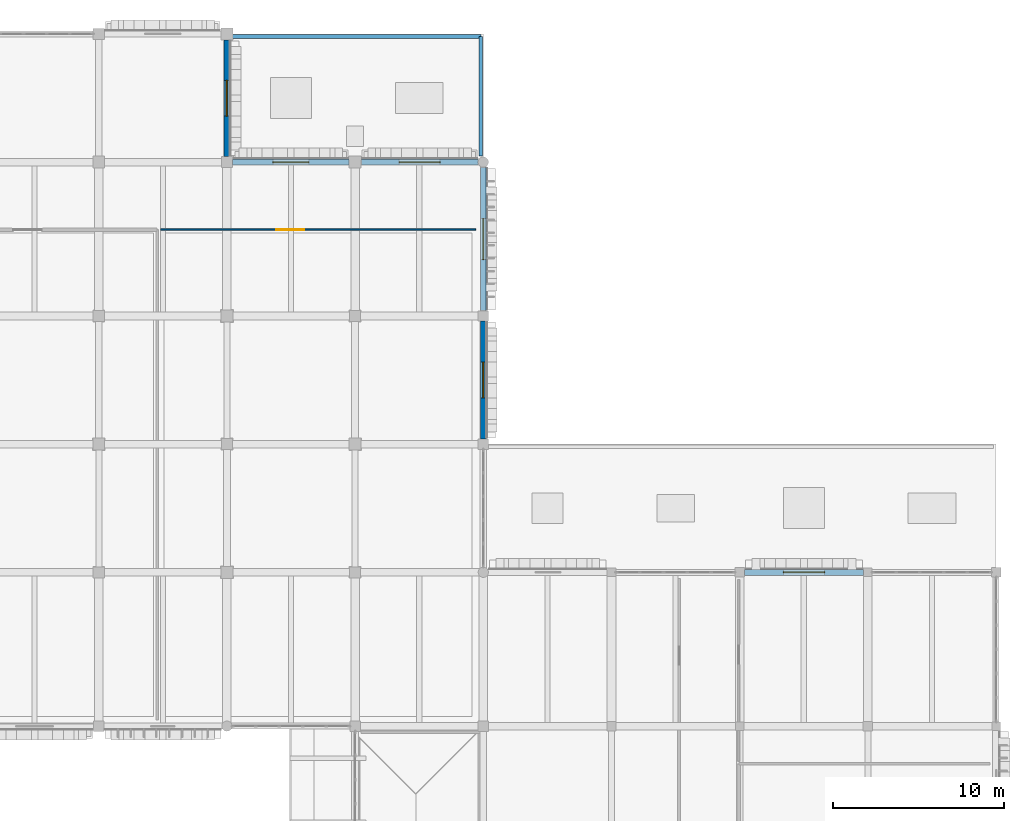
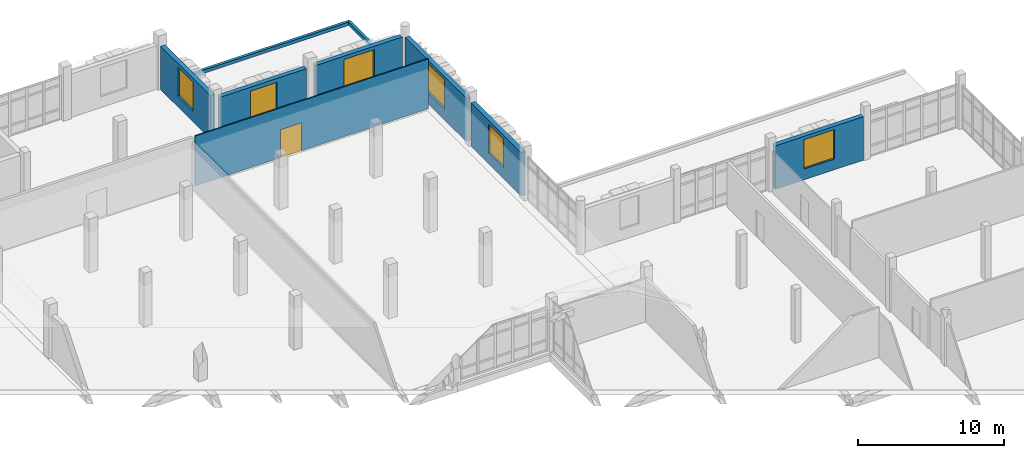
# One storey, part 105 of 128: 9 walls, 6 windows, 1 door, 7 openings.
"""IFC4 building model written with IfcOpenShell, lengths in metres."""

from ifc_helpers import new_model, si_unit, direction, frame, frame_2d, origin, place, context, subcontext, project, spatial, rectangle, extrude, material, layer, layer_set, type_object, element, fill, save


model = new_model("IFC4")

# Units and contexts
model_context = context("Model", 3, precision=1e-05, world=origin(), true_north=direction((0.0, 1.0)))
body_context = subcontext(model_context, "Body", "Model", "MODEL_VIEW")
ifc_project = project(units=[si_unit("LENGTHUNIT", "METRE"), si_unit("AREAUNIT", "SQUARE_METRE"), si_unit("VOLUMEUNIT", "CUBIC_METRE"), si_unit("PLANEANGLEUNIT", "RADIAN"), si_unit("MASSUNIT", "GRAM", prefix="KILO")], contexts=[model_context])

# Site, building, storey
site_placement = place(None, origin())
site = spatial("IfcSite", under=ifc_project, at=site_placement, CompositionType="ELEMENT")
building_placement = place(site_placement, origin())
building = spatial("IfcBuilding", under=site, at=building_placement, Name="Dalvernix Boulevard General Hospital", CompositionType="ELEMENT")
storey_placement = place(building_placement, frame((0.0, 0.0, 4.800048828125)))
storey = spatial("IfcBuildingStorey", under=building, at=storey_placement, Name="L01", CompositionType="ELEMENT", Elevation=4.800048828125)

# Wall, opening, window
ifc_material_1 = material(Name="Pressed Catalan clay brick and insulated concrete cavity wall C35/45", Category="masonry")
ifc_layer_1 = layer(ifc_material_1, 0.35009765625)
ifc_layer_set_1 = layer_set([ifc_layer_1], Name="Pressed Catalan clay brick and insulated concrete cavity wall C35/45 (WAL-EW-01)")
wall_type_1 = type_object("IfcWallType", Name="WAL-EW-01", PredefinedType="STANDARD", material=ifc_layer_set_1)
wall_1_placement = place(storey_placement, frame((127.5, 116.639892578125, 0.0), z_axis=(0.0, 0.0, 1.0), x_axis=(0.0, -1.0, 0.0)))
wall_1 = element("IfcWall", 1, at=wall_1_placement, inside=storey, type_object=wall_type_1, Name="L01 Catalan brick external wall E 17-14", PredefinedType="STANDARD", context=body_context, shape_type="SweptSolid", body=[
    extrude(rectangle(XDim=6.804931640625, YDim=0.35009765625, at=frame_2d((3.40234375, 0.0))), origin(), (0.0, 0.0, 1.0), 3.6298828125),
])
opening_1_placement = place(wall_1_placement, frame((2.3525390625, 0.0, 0.89990234375)))
opening_1 = element("IfcOpeningElement", 2, at=opening_1_placement, cuts=wall_1, Name="Opening WN-03", PredefinedType="OPENING", context=body_context, shape_type="SweptSolid", body=[
    extrude(rectangle(XDim=2.10009765625, YDim=2.39990234375, at=frame_2d((1.050048828125, 1.199951171875))), frame((0.0, 0.18505859375, 0.0), z_axis=(0.0, -1.0, 0.0), x_axis=(1.0, 0.0, 0.0)), (0.0, 0.0, 1.0), 0.3701171875),
])
ifc_material_2 = material(Name="Thermally broken aluminium frame with solar-control double glazing", Category="aluminium")
window_type_1 = type_object("IfcWindowType", Name="WIN-WN-03", PartitioningType="SINGLE_PANEL", PredefinedType="WINDOW", material=ifc_material_2)
window_1_placement = place(opening_1_placement, origin())
window_1 = element("IfcWindow", 3, at=window_1_placement, inside=storey, type_object=window_type_1, Name="L01 clinical window WN-03 E 17-14", OverallHeight=2.39990234375, OverallWidth=2.10009765625, PartitioningType="SINGLE_PANEL", PredefinedType="WINDOW", context=body_context, shape_type="SweptSolid", body=[
    extrude(rectangle(XDim=2.10009765625, YDim=2.39990234375, at=frame_2d((1.050048828125, 1.199951171875))), frame((0.0, 0.030029296875, 0.0), z_axis=(0.0, -1.0, 0.0), x_axis=(1.0, 0.0, 0.0)), (0.0, 0.0, 1.0), 0.06005859375),
])
fill(opening_1, window_1)

wall_2_placement = place(storey_placement, frame((127.8349609375, 109.5, 0.0), z_axis=(0.0, 0.0, 1.0), x_axis=(1.0, 0.0, 0.0)))
wall_2 = element("IfcWall", 4, at=wall_2_placement, inside=storey, type_object=wall_type_1, Name="L01 Catalan brick external wall N 17-14", PredefinedType="STANDARD", context=body_context, shape_type="SweptSolid", body=[
    extrude(rectangle(XDim=6.804931640625, YDim=0.35009765625, at=frame_2d((3.40234375, 0.0))), origin(), (0.0, 0.0, 1.0), 3.6298828125),
])
opening_2_placement = place(wall_2_placement, frame((2.3525390625, 0.0, 0.89990234375)))
opening_2 = element("IfcOpeningElement", 5, at=opening_2_placement, cuts=wall_2, Name="Opening WN-03", PredefinedType="OPENING", context=body_context, shape_type="SweptSolid", body=[
    extrude(rectangle(XDim=2.10009765625, YDim=2.39990234375, at=frame_2d((1.050048828125, 1.199951171875))), frame((0.0, 0.18505859375, 0.0), z_axis=(0.0, -1.0, 0.0), x_axis=(1.0, 0.0, 0.0)), (0.0, 0.0, 1.0), 0.3701171875),
])
window_2_placement = place(opening_2_placement, origin())
window_2 = element("IfcWindow", 6, at=window_2_placement, inside=storey, type_object=window_type_1, Name="L01 clinical window WN-03 N 17-14", OverallHeight=2.39990234375, OverallWidth=2.10009765625, PartitioningType="SINGLE_PANEL", PredefinedType="WINDOW", context=body_context, shape_type="SweptSolid", body=[
    extrude(rectangle(XDim=2.10009765625, YDim=2.39990234375, at=frame_2d((1.050048828125, 1.199951171875))), frame((0.0, 0.030029296875, 0.0), z_axis=(0.0, -1.0, 0.0), x_axis=(1.0, 0.0, 0.0)), (0.0, 0.0, 1.0), 0.06005859375),
])
fill(opening_2, window_2)

wall_3_placement = place(storey_placement, frame((142.5, 100.18994140625, 0.0), z_axis=(0.0, 0.0, 1.0), x_axis=(0.0, -1.0, 0.0)))
wall_3 = element("IfcWall", 7, at=wall_3_placement, inside=storey, type_object=wall_type_1, Name="L01 Catalan brick external wall E 19-12", PredefinedType="STANDARD", context=body_context, shape_type="SweptSolid", body=[
    extrude(rectangle(XDim=6.8798828125, YDim=0.35009765625, at=frame_2d((3.43994140625, 0.0))), origin(), (0.0, 0.0, 1.0), 3.6298828125),
])
opening_3_placement = place(wall_3_placement, frame((2.389892578125, 0.0, 0.89990234375)))
opening_3 = element("IfcOpeningElement", 8, at=opening_3_placement, cuts=wall_3, Name="Opening WN-03", PredefinedType="OPENING", context=body_context, shape_type="SweptSolid", body=[
    extrude(rectangle(XDim=2.10009765625, YDim=2.39990234375, at=frame_2d((1.050048828125, 1.199951171875))), frame((0.0, 0.18505859375, 0.0), z_axis=(0.0, -1.0, 0.0), x_axis=(1.0, 0.0, 0.0)), (0.0, 0.0, 1.0), 0.3701171875),
])
window_3_placement = place(opening_3_placement, origin())
window_3 = element("IfcWindow", 9, at=window_3_placement, inside=storey, type_object=window_type_1, Name="L01 clinical window WN-03 E 19-12", OverallHeight=2.39990234375, OverallWidth=2.10009765625, PartitioningType="SINGLE_PANEL", PredefinedType="WINDOW", context=body_context, shape_type="SweptSolid", body=[
    extrude(rectangle(XDim=2.10009765625, YDim=2.39990234375, at=frame_2d((1.050048828125, 1.199951171875))), frame((0.0, 0.030029296875, 0.0), z_axis=(0.0, -1.0, 0.0), x_axis=(1.0, 0.0, 0.0)), (0.0, 0.0, 1.0), 0.06005859375),
])
fill(opening_3, window_3)

wall_4_placement = place(storey_placement, frame((135.360107421875, 109.5, 0.0), z_axis=(0.0, 0.0, 1.0), x_axis=(1.0, 0.0, 0.0)))
wall_4 = element("IfcWall", 10, at=wall_4_placement, inside=storey, type_object=wall_type_1, Name="L01 Catalan brick external wall N 18-14", PredefinedType="STANDARD", context=body_context, shape_type="SweptSolid", body=[
    extrude(rectangle(XDim=6.829833984375, YDim=0.35009765625, at=frame_2d((3.4150390625, 0.0))), origin(), (0.0, 0.0, 1.0), 3.6298828125),
])
opening_4_placement = place(wall_4_placement, frame((2.215087890625, 0.0, 0.89990234375)))
opening_4 = element("IfcOpeningElement", 11, at=opening_4_placement, cuts=wall_4, Name="Opening WN-04", PredefinedType="OPENING", context=body_context, shape_type="SweptSolid", body=[
    extrude(rectangle(XDim=2.39990234375, YDim=2.449951171875, at=frame_2d((1.199951171875, 1.22509765625))), frame((0.0, 0.18505859375, 0.0), z_axis=(0.0, -1.0, 0.0), x_axis=(1.0, 0.0, 0.0)), (0.0, 0.0, 1.0), 0.3701171875),
])
window_type_2 = type_object("IfcWindowType", Name="WIN-WN-04", PartitioningType="SINGLE_PANEL", PredefinedType="WINDOW", material=ifc_material_2)
window_4_placement = place(opening_4_placement, origin())
window_4 = element("IfcWindow", 12, at=window_4_placement, inside=storey, type_object=window_type_2, Name="L01 clinical window WN-04 N 18-14", OverallHeight=2.449951171875, OverallWidth=2.39990234375, PartitioningType="SINGLE_PANEL", PredefinedType="WINDOW", context=body_context, shape_type="SweptSolid", body=[
    extrude(rectangle(XDim=2.39990234375, YDim=2.449951171875, at=frame_2d((1.199951171875, 1.22509765625))), frame((0.0, 0.030029296875, 0.0), z_axis=(0.0, -1.0, 0.0), x_axis=(1.0, 0.0, 0.0)), (0.0, 0.0, 1.0), 0.06005859375),
])
fill(opening_4, window_4)

wall_5_placement = place(storey_placement, frame((142.5, 109.18994140625, 0.0), z_axis=(0.0, 0.0, 1.0), x_axis=(0.0, -1.0, 0.0)))
wall_5 = element("IfcWall", 13, at=wall_5_placement, inside=storey, type_object=wall_type_1, Name="L01 Catalan brick external wall E 19-13", PredefinedType="STANDARD", context=body_context, shape_type="SweptSolid", body=[
    extrude(rectangle(XDim=8.3798828125, YDim=0.35009765625, at=frame_2d((4.18994140625, 0.0))), origin(), (0.0, 0.0, 1.0), 3.6298828125),
])
opening_5_placement = place(wall_5_placement, frame((2.989990234375, 0.0, 0.89990234375)))
opening_5 = element("IfcOpeningElement", 14, at=opening_5_placement, cuts=wall_5, Name="Opening WN-04", PredefinedType="OPENING", context=body_context, shape_type="SweptSolid", body=[
    extrude(rectangle(XDim=2.39990234375, YDim=2.449951171875, at=frame_2d((1.199951171875, 1.22509765625))), frame((0.0, 0.18505859375, 0.0), z_axis=(0.0, -1.0, 0.0), x_axis=(1.0, 0.0, 0.0)), (0.0, 0.0, 1.0), 0.3701171875),
])
window_5_placement = place(opening_5_placement, origin())
window_5 = element("IfcWindow", 15, at=window_5_placement, inside=storey, type_object=window_type_2, Name="L01 clinical window WN-04 E 19-13", OverallHeight=2.449951171875, OverallWidth=2.39990234375, PartitioningType="SINGLE_PANEL", PredefinedType="WINDOW", context=body_context, shape_type="SweptSolid", body=[
    extrude(rectangle(XDim=2.39990234375, YDim=2.449951171875, at=frame_2d((1.199951171875, 1.22509765625))), frame((0.0, 0.030029296875, 0.0), z_axis=(0.0, -1.0, 0.0), x_axis=(1.0, 0.0, 0.0)), (0.0, 0.0, 1.0), 0.06005859375),
])
fill(opening_5, window_5)

wall_6_placement = place(storey_placement, frame((157.784912109375, 85.5, 0.0), z_axis=(0.0, 0.0, 1.0), x_axis=(1.0, 0.0, 0.0)))
wall_6 = element("IfcWall", 16, at=wall_6_placement, inside=storey, type_object=wall_type_1, Name="L01 Catalan brick external wall N 21-11", PredefinedType="STANDARD", context=body_context, shape_type="SweptSolid", body=[
    extrude(rectangle(XDim=6.955078125, YDim=0.35009765625, at=frame_2d((3.4775390625, 0.0))), origin(), (0.0, 0.0, 1.0), 3.6298828125),
])
opening_6_placement = place(wall_6_placement, frame((2.277587890625, 0.0, 0.89990234375)))
opening_6 = element("IfcOpeningElement", 17, at=opening_6_placement, cuts=wall_6, Name="Opening WN-04", PredefinedType="OPENING", context=body_context, shape_type="SweptSolid", body=[
    extrude(rectangle(XDim=2.39990234375, YDim=2.449951171875, at=frame_2d((1.199951171875, 1.22509765625))), frame((0.0, 0.18505859375, 0.0), z_axis=(0.0, -1.0, 0.0), x_axis=(1.0, 0.0, 0.0)), (0.0, 0.0, 1.0), 0.3701171875),
])
window_6_placement = place(opening_6_placement, origin())
window_6 = element("IfcWindow", 18, at=window_6_placement, inside=storey, type_object=window_type_2, Name="L01 clinical window WN-04 N 21-11", OverallHeight=2.449951171875, OverallWidth=2.39990234375, PartitioningType="SINGLE_PANEL", PredefinedType="WINDOW", context=body_context, shape_type="SweptSolid", body=[
    extrude(rectangle(XDim=2.39990234375, YDim=2.449951171875, at=frame_2d((1.199951171875, 1.22509765625))), frame((0.0, 0.030029296875, 0.0), z_axis=(0.0, -1.0, 0.0), x_axis=(1.0, 0.0, 0.0)), (0.0, 0.0, 1.0), 0.06005859375),
])
fill(opening_6, window_6)

# Wall, opening, door
ifc_material_3 = material(Name="Fire-resisting clinical sub-partition")
ifc_layer_2 = layer(ifc_material_3, 0.10009765625)
ifc_layer_set_2 = layer_set([ifc_layer_2], Name="Fire-resisting clinical sub-partition (WAL-IW-06)")
wall_type_2 = type_object("IfcWallType", Name="WAL-IW-06", PredefinedType="PARTITIONING", material=ifc_layer_set_2)
wall_7_placement = place(storey_placement, frame((142.050048828125, 105.550048828125, 0.0), z_axis=(0.0, 0.0, 1.0), x_axis=(-1.0, 0.0, 0.0)))
wall_7 = element("IfcWall", 19, at=wall_7_placement, inside=storey, type_object=wall_type_2, Name="L01 Clinical Pathology and Microbiology Laboratory 05 corridor wall", PredefinedType="PARTITIONING", context=body_context, shape_type="SweptSolid", body=[
    extrude(rectangle(XDim=18.433349609375, YDim=0.10009765625, at=frame_2d((9.216796875, 0.0))), origin(), (0.0, 0.0, 1.0), 4.1650390625),
])
opening_7_placement = place(wall_7_placement, frame((10.02001953125, 0.0, 0.0)))
opening_7 = element("IfcOpeningElement", 20, at=opening_7_placement, cuts=wall_7, Name="Opening ID-12", PredefinedType="OPENING", context=body_context, shape_type="SweptSolid", body=[
    extrude(rectangle(XDim=1.64990234375, YDim=2.35009765625, at=frame_2d((0.824951171875, 1.175048828125))), frame((0.0, 0.06005859375, 0.0), z_axis=(0.0, -1.0, 0.0), x_axis=(1.0, 0.0, 0.0)), (0.0, 0.0, 1.0), 0.1201171875),
])
ifc_material_4 = material(Name="Hospital laminate acoustic timber and steel frame", Category="steel")
door_type = type_object("IfcDoorType", Name="DR-ID-12", OperationType="DOUBLE_DOOR_SINGLE_SWING", PredefinedType="DOOR", material=ifc_material_4)
door_placement = place(opening_7_placement, origin())
door = element("IfcDoor", 21, at=door_placement, inside=storey, type_object=door_type, Name="L01 Clinical Pathology and Microbiology Laboratory 05 door", OperationType="DOUBLE_DOOR_SINGLE_SWING", OverallHeight=2.35009765625, OverallWidth=1.64990234375, PredefinedType="DOOR", context=body_context, shape_type="SweptSolid", body=[
    extrude(rectangle(XDim=1.64990234375, YDim=2.35009765625, at=frame_2d((0.824951171875, 1.175048828125))), frame((0.0, 0.02490234375, 0.0), z_axis=(0.0, -1.0, 0.0), x_axis=(1.0, 0.0, 0.0)), (0.0, 0.0, 1.0), 0.050048828125),
])
fill(opening_7, door)

# Walls
ifc_material_5 = material(Name="Insulated precast concrete parapet C40/50", Category="concrete")
ifc_layer_3 = layer(ifc_material_5, 0.219970703125)
ifc_layer_set_3 = layer_set([ifc_layer_3], Name="Insulated precast concrete parapet C40/50 (WAL-PW-01)")
wall_type_3 = type_object("IfcWallType", Name="WAL-PW-01", PredefinedType="PARAPET", material=ifc_layer_set_3)
wall_8_placement = place(storey_placement, frame((127.64990234375, 116.85009765625, 0.079833984375), z_axis=(0.0, 0.0, 1.0), x_axis=(1.0, 0.0, 0.0)))
element("IfcWall", 22, at=wall_8_placement, inside=storey, type_object=wall_type_3, Name="L01 roof parapet wall V3NE-1", PredefinedType="PARAPET", context=body_context, shape_type="SweptSolid", body=[
    extrude(rectangle(XDim=14.7001953125, YDim=0.219970703125, at=frame_2d((7.35009765625, 0.0))), origin(), (0.0, 0.0, 1.0), 0.280029296875),
])
wall_9_placement = place(storey_placement, frame((142.35009765625, 109.85009765625, 0.079833984375), z_axis=(0.0, 0.0, 1.0), x_axis=(0.0, 1.0, 0.0)))
element("IfcWall", 23, at=wall_9_placement, inside=storey, type_object=wall_type_3, Name="L01 roof parapet wall V3NE-2", PredefinedType="PARAPET", context=body_context, shape_type="SweptSolid", body=[
    extrude(rectangle(XDim=7.0, YDim=0.219970703125, at=frame_2d((3.5, 0.0))), origin(), (0.0, 0.0, 1.0), 0.280029296875),
])

save(model, "model.ifc")
